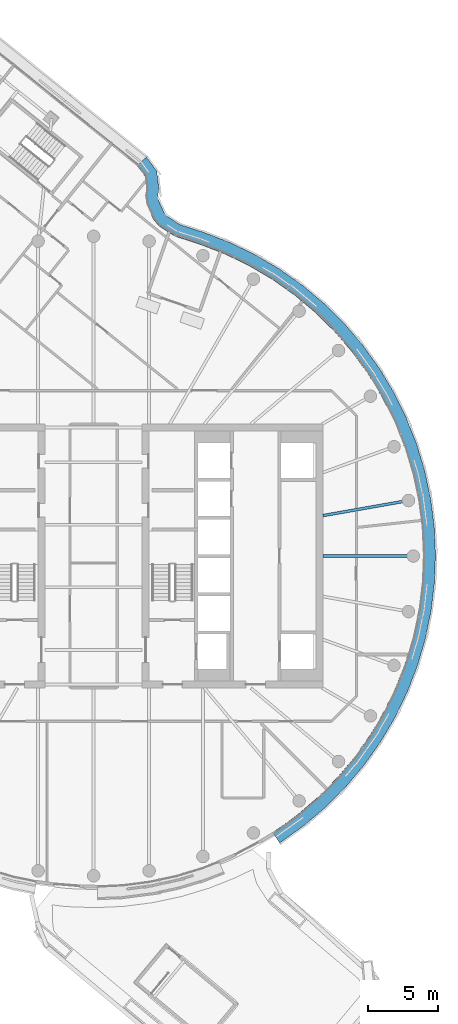
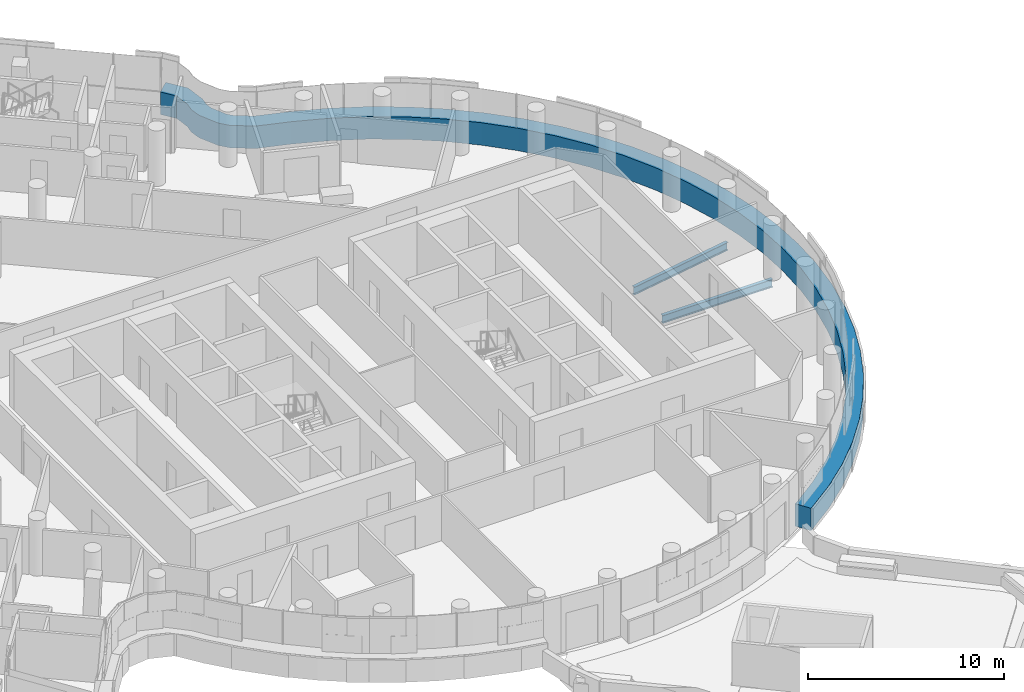
# One storey, part 9 of 25: 2 beams, 1 member, 1 element without a shape of its own.
"""IFC4 building model written with IfcOpenShell, lengths in metres."""

from ifc_helpers import new_model, si_unit, direction, frame, origin, origin_2d, place, context, subcontext, project, spatial, polyline, i_section, outline, extrude, material, layer, layer_set, material_profile, profile_set, type_object, element, aggregate, save


model = new_model("IFC4")

# Units and contexts
model_context = context("Model", 3, precision=1e-05, world=origin(), true_north=direction((0.0, 1.0)))
body_context = subcontext(model_context, "Body", "Model", "MODEL_VIEW")
ifc_project = project(units=[si_unit("LENGTHUNIT", "METRE"), si_unit("AREAUNIT", "SQUARE_METRE"), si_unit("VOLUMEUNIT", "CUBIC_METRE"), si_unit("PLANEANGLEUNIT", "RADIAN"), si_unit("MASSUNIT", "GRAM", prefix="KILO")], contexts=[model_context])

# Site, building, storey
site_placement = place(None, origin())
site = spatial("IfcSite", under=ifc_project, at=site_placement, CompositionType="ELEMENT")
building_placement = place(site_placement, origin())
building = spatial("IfcBuilding", under=site, at=building_placement, Name="Tamarind Cross Interchange Tower", CompositionType="ELEMENT")
storey_placement = place(building_placement, frame((0.0, 0.0, 219.89990234375)))
storey = spatial("IfcBuildingStorey", under=building, at=storey_placement, Name="L55", CompositionType="ELEMENT", Elevation=219.89990234375)

# Beams
ifc_material_1 = material(Name="Steel Q355B", Category="steel")
ifc_material_profile = material_profile(ifc_material_1, i_section(OverallWidth=0.198974609375, OverallDepth=0.49609375, WebThickness=0.009033203125, FlangeThickness=0.013916015625, FilletRadius=0.012939453125, at=origin_2d()), Name="HN 496x199x9x14")
ifc_profile_set = profile_set([ifc_material_profile], Name="Steel Q355B")
beam_type = type_object("IfcBeamType", Name="Composite beam HN 496x199x9x14 Q355B", PredefinedType="BEAM", material=ifc_profile_set)
beam_1_placement = place(storey_placement, frame((23.0, 0.0, -0.387939453125), z_axis=(-1.0, 0.0, 0.0), x_axis=(0.0, -1.0, 0.0)))
element("IfcBeam", 1, at=beam_1_placement, inside=storey, type_object=beam_type, Name="Beam HH00", PredefinedType="BEAM", context=body_context, shape_type="SweptSolid", body=[
    extrude(i_section(OverallWidth=0.198974609375, OverallDepth=0.49609375, WebThickness=0.009033203125, FlangeThickness=0.013916015625, FilletRadius=0.012939453125, at=origin_2d()), origin(), (0.0, 0.0, 1.0), 6.5),
])
beam_2_placement = place(storey_placement, frame((22.650634765625, 3.993896484375, -0.387939453125), z_axis=(-0.984809127561, -0.173640382036, 0.0), x_axis=(0.173640382036, -0.984809127561, 0.0)))
element("IfcBeam", 2, at=beam_2_placement, inside=storey, type_object=beam_type, Name="Beam HH01", PredefinedType="BEAM", context=body_context, shape_type="SweptSolid", body=[
    extrude(i_section(OverallWidth=0.198974609375, OverallDepth=0.49609375, WebThickness=0.009033203125, FlangeThickness=0.013916015625, FilletRadius=0.012939453125, at=origin_2d()), origin(), (0.0, 0.0, 1.0), 6.24560546875),
])

# Curtain wall, member
ifc_material_2 = material(Name="Aluminium 6063-T6", Category="aluminium")
ifc_layer = layer(ifc_material_2, 0.14990234375)
ifc_layer_set = layer_set([ifc_layer], Name="Aluminium 6063-T6")
curtain_wall_type = type_object("IfcCurtainWallType", Name="Winter garden and crown curtain wall", PredefinedType="NOTDEFINED", material=ifc_layer_set)
curtain_wall_placement = place(storey_placement, origin())
curtain_wall = element("IfcCurtainWall", 3, at=curtain_wall_placement, inside=storey, type_object=curtain_wall_type, Name="CWS-L55-02", PredefinedType="NOTDEFINED")
ifc_material_3 = material(Name="Aluminium and insulated spandrel panel", Category="aluminium")
member_type = type_object("IfcMemberType", Name="Floor-edge blade transom", PredefinedType="USERDEFINED", material=ifc_material_3)
member_placement = place(storey_placement, origin())
member = element("IfcMember", 4, at=member_placement, type_object=member_type, Name="CWT-L55-02-2", ObjectType="TRANSOM", PredefinedType="USERDEFINED", context=body_context, shape_type="SweptSolid", body=[
    extrude(outline(polyline([(12.88427734375, -19.87841796875), (13.045654296875, -19.78125), (14.634521484375, -18.636474609375), (16.12353515625, -17.3642578125), (17.50244140625, -15.973388671875), (18.76171875, -14.4736328125), (19.892822265625, -12.874755859375), (20.88818359375, -11.188232421875), (21.74072265625, -9.425048828125), (22.444580078125, -7.597412109375), (22.995361328125, -5.718017578125), (23.38916015625, -3.799560546875), (23.623046875, -1.855224609375), (23.695556640625, 0.10205078125), (23.606201171875, 2.058349609375), (23.35546875, 4.000732421875), (22.9453125, 5.915771484375), (22.37841796875, 7.790283203125), (21.65869140625, 9.61181640625), (20.791015625, 11.367431640625), (19.78125, 13.045654296875), (18.636474609375, 14.634521484375), (17.3642578125, 16.12353515625), (15.973388671875, 17.50244140625), (14.4736328125, 18.76171875), (12.874755859375, 19.892822265625), (11.188232421875, 20.88818359375), (9.425048828125, 21.74072265625), (7.59375, 22.446044921875), (5.843505859375, 23.00927734375), (4.72509765625, 23.729248046875), (4.310302734375, 24.206298828125), (3.810791015625, 25.286865234375), (3.71630859375, 25.912109375), (3.7890625, 26.45703125), (3.677978515625, 27.34765625), (3.144287109375, 28.069091796875), (3.798583984375, 28.69775390625), (4.5419921875, 27.693115234375), (4.696533203125, 26.452880859375), (4.625244140625, 25.919921875), (4.681640625, 25.54833984375), (5.073486328125, 24.700439453125), (5.3203125, 24.416748046875), (6.2314453125, 23.829833984375), (7.8935546875, 23.295166015625), (9.783203125, 22.567138671875), (11.613525390625, 21.68212890625), (13.3642578125, 20.64892578125), (15.023681640625, 19.474853515625), (16.580810546875, 18.167724609375), (18.0244140625, 16.736572265625), (19.344970703125, 15.19091796875), (20.533203125, 13.54150390625), (21.581298828125, 11.799560546875), (22.482177734375, 9.97705078125), (23.229248046875, 8.08642578125), (23.817626953125, 6.140625), (24.243408203125, 4.15283203125), (24.50341796875, 2.13671875), (24.59619140625, 0.10595703125), (24.52099609375, -1.925537109375), (24.2783203125, -3.944091796875), (23.86962890625, -5.935302734375), (23.2978515625, -7.88623046875), (22.567138671875, -9.783203125), (21.68212890625, -11.613525390625), (20.64892578125, -13.3642578125), (19.474853515625, -15.023681640625), (18.167724609375, -16.580810546875), (16.736572265625, -18.0244140625), (15.19091796875, -19.344970703125), (13.54150390625, -20.533203125), (13.3740234375, -20.634033203125), (12.88427734375, -19.87841796875)])), origin(), (0.0, 0.0, 1.0), 1.400146484375),
])
aggregate(curtain_wall, [member])

save(model, "model.ifc")
